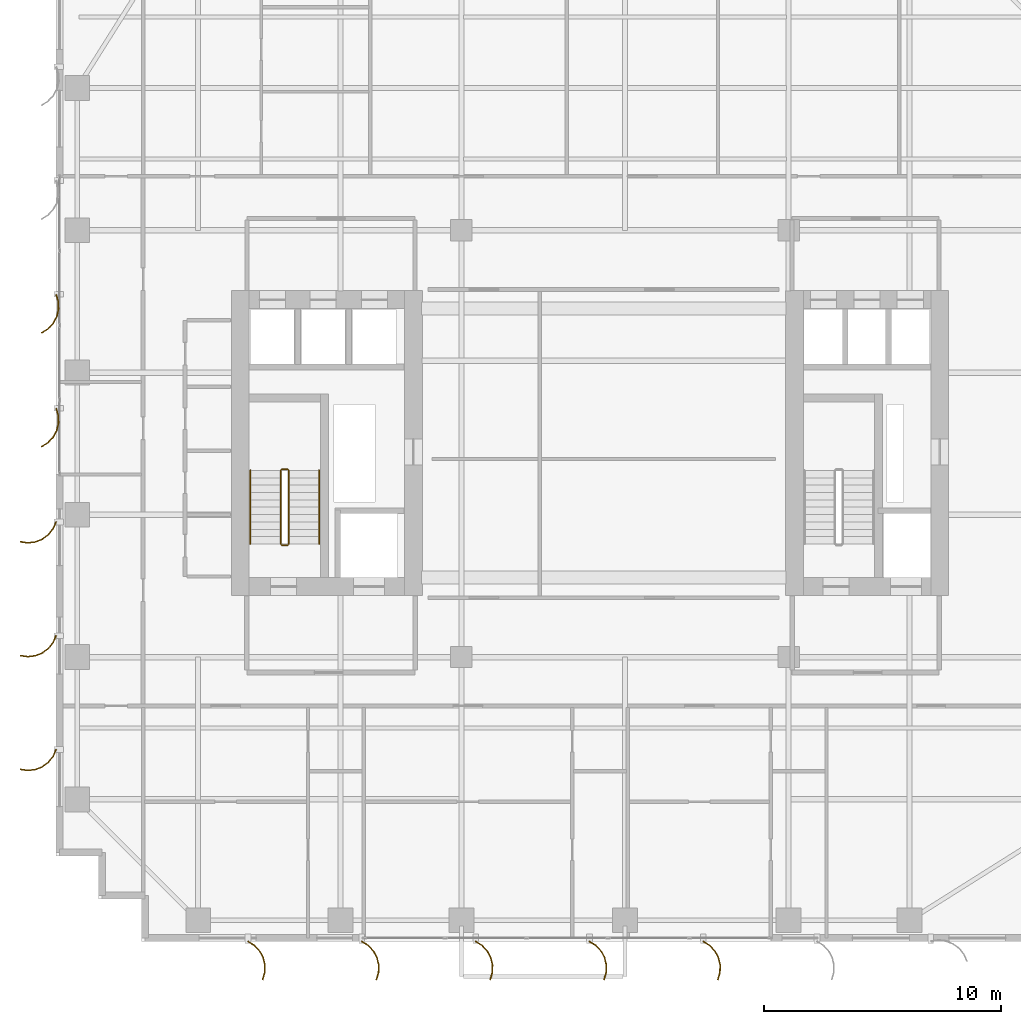
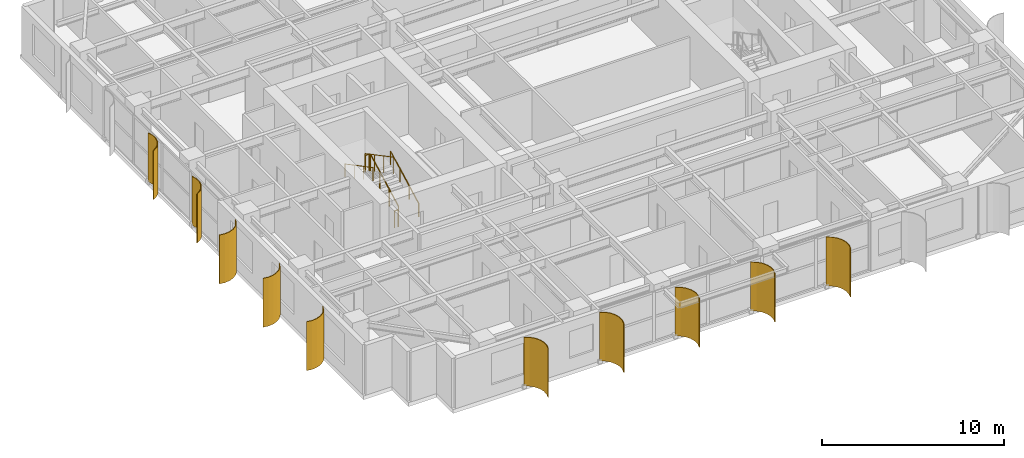
# One storey, part 25 of 27: 10 shading devices, 6 railings.
"""IFC4 building model written with IfcOpenShell, lengths in metres."""

from ifc_helpers import new_model, si_unit, direction, frame, origin, origin_2d, place, context, subcontext, project, spatial, polyline, circle, outline, extrude, source, transform, mapped, material, layer, layer_set, type_object, element, save


model = new_model("IFC4")

# Units and contexts
model_context = context("Model", 3, precision=1e-05, world=origin(), true_north=direction((0.0, 1.0)))
body_context = subcontext(model_context, "Body", "Model", "MODEL_VIEW")
ifc_project = project(units=[si_unit("LENGTHUNIT", "METRE"), si_unit("AREAUNIT", "SQUARE_METRE"), si_unit("VOLUMEUNIT", "CUBIC_METRE"), si_unit("PLANEANGLEUNIT", "RADIAN"), si_unit("MASSUNIT", "GRAM", prefix="KILO")], contexts=[model_context])

# Site, building, storey
site_placement = place(None, origin())
site = spatial("IfcSite", under=ifc_project, at=site_placement, CompositionType="ELEMENT")
building_placement = place(site_placement, origin())
building = spatial("IfcBuilding", under=site, at=building_placement, Name="Khoralis Quay Care Tower", CompositionType="ELEMENT")
storey_placement = place(building_placement, frame((0.0, 0.0, 105.300048828125)))
storey = spatial("IfcBuildingStorey", under=building, at=storey_placement, Name="L27", CompositionType="ELEMENT", Elevation=105.300048828125)

# Railings
ifc_material_1 = material(Name="Brushed stainless steel", Category="steel")
railing_type_1 = type_object("IfcRailingType", Name="RL-GUARD-1150", PredefinedType="GUARDRAIL", material=ifc_material_1)
railing_1_placement = place(storey_placement, frame((9.820068359375, 16.77001953125, 0.16357421875)))
element("IfcRailing", 1, at=railing_1_placement, inside=storey, type_object=railing_type_1, Name="L27 ST-T1 stair guard 1", PredefinedType="GUARDRAIL", context=body_context, shape_type="SweptSolid", body=[
    extrude(circle(Radius=0.02392578125, at=origin_2d()), frame((0.0, 0.0, 1.1259765625), z_axis=(0.0, 0.884348015382, 0.466828220752), x_axis=(-1.0, 0.0, 0.0)), (0.0, 0.0, 1.0), 3.505615234375),
    extrude(circle(Radius=0.02099609375, at=origin_2d()), origin(), (0.0, 0.0, 1.0), 1.101806640625),
    extrude(circle(Radius=0.02099609375, at=origin_2d()), frame((0.0, 1.033447265625, 0.54541015625)), (0.0, 0.0, 1.0), 1.101806640625),
    extrude(circle(Radius=0.02099609375, at=origin_2d()), frame((0.0, 2.066650390625, 1.091064453125)), (0.0, 0.0, 1.0), 1.101806640625),
    extrude(circle(Radius=0.02099609375, at=origin_2d()), frame((0.0, 3.10009765625, 1.636474609375)), (0.0, 0.0, 1.0), 1.101806640625),
])
railing_2_placement = place(storey_placement, frame((9.77001953125, 19.919921875, 1.800048828125)))
element("IfcRailing", 2, at=railing_2_placement, inside=storey, type_object=railing_type_1, Name="L27 ST-T1 stair guard 2", PredefinedType="GUARDRAIL", context=body_context, shape_type="SweptSolid", body=[
    extrude(circle(Radius=0.02392578125, at=origin_2d()), frame((0.0, 0.0, 1.1259765625), z_axis=(-1.0, 0.0, 0.0), x_axis=(0.0, -1.0, 0.0)), (0.0, 0.0, 1.0), 0.239990234375),
    extrude(circle(Radius=0.02099609375, at=origin_2d()), origin(), (0.0, 0.0, 1.0), 1.101806640625),
    extrude(circle(Radius=0.02099609375, at=origin_2d()), frame((-0.239990234375, 0.0, 0.0)), (0.0, 0.0, 1.0), 1.101806640625),
])
railing_3_placement = place(storey_placement, frame((9.47998046875, 19.8701171875, 1.963623046875)))
element("IfcRailing", 3, at=railing_3_placement, inside=storey, type_object=railing_type_1, Name="L27 ST-T1 stair guard 3", PredefinedType="GUARDRAIL", context=body_context, shape_type="SweptSolid", body=[
    extrude(circle(Radius=0.02392578125, at=origin_2d()), frame((0.0, 0.0, 1.1259765625), z_axis=(0.0, -0.884376766648, 0.46677375099), x_axis=(1.0, 0.0, 0.0)), (0.0, 0.0, 1.0), 3.50537109375),
    extrude(circle(Radius=0.02099609375, at=origin_2d()), origin(), (0.0, 0.0, 1.0), 1.101806640625),
    extrude(circle(Radius=0.02099609375, at=origin_2d()), frame((0.0, -1.033447265625, 0.54541015625)), (0.0, 0.0, 1.0), 1.101806640625),
    extrude(circle(Radius=0.02099609375, at=origin_2d()), frame((0.0, -2.066650390625, 1.0908203125)), (0.0, 0.0, 1.0), 1.101806640625),
    extrude(circle(Radius=0.02099609375, at=origin_2d()), frame((0.0, -3.10009765625, 1.63623046875)), (0.0, 0.0, 1.0), 1.101806640625),
])
railing_4_placement = place(storey_placement, frame((9.77001953125, 16.719970703125, 0.0)))
element("IfcRailing", 4, at=railing_4_placement, inside=storey, type_object=railing_type_1, Name="L27 ST-T1 stair guard 4", PredefinedType="GUARDRAIL", context=body_context, shape_type="SweptSolid", body=[
    extrude(circle(Radius=0.02392578125, at=origin_2d()), frame((0.0, 0.0, 1.1259765625), z_axis=(-1.0, 0.0, 0.0), x_axis=(0.0, -1.0, 0.0)), (0.0, 0.0, 1.0), 0.239990234375),
    extrude(circle(Radius=0.02099609375, at=origin_2d()), origin(), (0.0, 0.0, 1.0), 1.101806640625),
    extrude(circle(Radius=0.02099609375, at=origin_2d()), frame((-0.239990234375, 0.0, 0.0)), (0.0, 0.0, 1.0), 1.101806640625),
])
railing_type_2 = type_object("IfcRailingType", Name="RL-HAND-900", PredefinedType="HANDRAIL", material=ifc_material_1)
railing_5_placement = place(storey_placement, frame((11.10009765625, 16.77001953125, 0.16357421875)))
element("IfcRailing", 5, at=railing_5_placement, inside=storey, type_object=railing_type_2, Name="L27 ST-T1 stair handrail 1", PredefinedType="HANDRAIL", context=body_context, shape_type="SweptSolid", body=[
    extrude(circle(Radius=0.02392578125, at=origin_2d()), frame((0.0, 0.0, 0.8759765625), z_axis=(0.0, 0.884348015382, 0.466828220752), x_axis=(-1.0, 0.0, 0.0)), (0.0, 0.0, 1.0), 3.505615234375),
    extrude(circle(Radius=0.02099609375, at=origin_2d()), origin(), (0.0, 0.0, 1.0), 0.851806640625),
    extrude(circle(Radius=0.02099609375, at=origin_2d()), frame((0.0, 1.033447265625, 0.54541015625)), (0.0, 0.0, 1.0), 0.851806640625),
    extrude(circle(Radius=0.02099609375, at=origin_2d()), frame((0.0, 2.066650390625, 1.091064453125)), (0.0, 0.0, 1.0), 0.851806640625),
    extrude(circle(Radius=0.02099609375, at=origin_2d()), frame((0.0, 3.10009765625, 1.636474609375)), (0.0, 0.0, 1.0), 0.851806640625),
])
railing_6_placement = place(storey_placement, frame((8.199951171875, 19.8701171875, 1.963623046875)))
element("IfcRailing", 6, at=railing_6_placement, inside=storey, type_object=railing_type_2, Name="L27 ST-T1 stair handrail 2", PredefinedType="HANDRAIL", context=body_context, shape_type="SweptSolid", body=[
    extrude(circle(Radius=0.02392578125, at=origin_2d()), frame((0.0, 0.0, 0.8759765625), z_axis=(0.0, -0.884376766648, 0.46677375099), x_axis=(1.0, 0.0, 0.0)), (0.0, 0.0, 1.0), 3.50537109375),
    extrude(circle(Radius=0.02099609375, at=origin_2d()), origin(), (0.0, 0.0, 1.0), 0.851806640625),
    extrude(circle(Radius=0.02099609375, at=origin_2d()), frame((0.0, -1.033447265625, 0.54541015625)), (0.0, 0.0, 1.0), 0.851806640625),
    extrude(circle(Radius=0.02099609375, at=origin_2d()), frame((0.0, -2.066650390625, 1.0908203125)), (0.0, 0.0, 1.0), 0.851806640625),
    extrude(circle(Radius=0.02099609375, at=origin_2d()), frame((0.0, -3.10009765625, 1.63623046875)), (0.0, 0.0, 1.0), 0.851806640625),
])

# Shading devices
ifc_material_2 = material(Name="Brushed pale anodised aluminium", Category="aluminium")
ifc_layer = layer(ifc_material_2, 0.044921875)
ifc_layer_set = layer_set([ifc_layer], Name="Brushed pale anodised aluminium")
shading_device_type = type_object("IfcShadingDeviceType", Name="SHD-FIN-1250", PredefinedType="USERDEFINED", material=ifc_layer_set)
shared_shape_1 = source(origin(), body_context, "Body", "SweptSolid", [
    extrude(outline(polyline([(0.0, 0.0), (0.17041015625, 0.2783203125), (0.4072265625, 0.5029296875), (0.694091796875, 0.658447265625), (1.01123046875, 0.734619140625), (1.33740234375, 0.72607421875), (1.650390625, 0.633544921875), (1.632080078125, 0.59228515625), (1.330322265625, 0.681640625), (1.015869140625, 0.68994140625), (0.710205078125, 0.616455078125), (0.43359375, 0.466552734375), (0.20556640625, 0.25), (0.041015625, -0.018310546875), (0.0, 0.0)])), origin(), (0.0, 0.0, 1.0), 3.280029296875),
])
for number, where, z_axis, x_axis, name in (
    (7, (8.10009765625, 0.030029296875, 0.02001953125), (0.0, 0.0, 1.0), (0.0, -1.0, 0.0), "L27 Curved Solar Fin P1E0-01"),
    (8, (12.89990234375, 0.030029296875, 0.02001953125), (0.0, 0.0, 1.0), (0.0, -1.0, 0.0), "L27 Curved Solar Fin P1E0-02"),
    (9, (17.699951171875, 0.030029296875, 0.02001953125), (0.0, 0.0, 1.0), (0.0, -1.0, 0.0), "L27 Curved Solar Fin P1E0-03"),
    (10, (22.5, 0.030029296875, 0.02001953125), (0.0, 0.0, 1.0), (0.0, -1.0, 0.0), "L27 Curved Solar Fin P1E0-04"),
    (11, (27.300048828125, 0.030029296875, 0.02001953125), (0.0, 0.0, 1.0), (0.0, -1.0, 0.0), "L27 Curved Solar Fin P1E0-05"),
):
    element("IfcShadingDevice", number, at=place(storey_placement, frame(where, z_axis=z_axis, x_axis=x_axis)), inside=storey, type_object=shading_device_type, Name=name, ObjectType="FIN", PredefinedType="USERDEFINED", context=body_context, shape_type="MappedRepresentation", body=[
        mapped(shared_shape_1, transform((0.0, 0.0, 0.0), scale=1.0)),
    ])
shared_shape_2 = source(origin(), body_context, "Body", "SweptSolid", [
    extrude(outline(polyline([(0.0, 0.0), (-0.0927734375, 0.31298828125), (-0.101318359375, 0.63916015625), (-0.025146484375, 0.956298828125), (0.130615234375, 1.2431640625), (0.355224609375, 1.479736328125), (0.633544921875, 1.650390625), (0.65185546875, 1.609130859375), (0.383544921875, 1.44482421875), (0.1669921875, 1.216796875), (0.01708984375, 0.940185546875), (-0.056396484375, 0.63427734375), (-0.04833984375, 0.31982421875), (0.041015625, 0.018310546875), (0.0, 0.0)])), origin(), (0.0, 0.0, 1.0), 3.280029296875),
])
for number, where, z_axis, x_axis, name in (
    (12, (0.030029296875, 27.300048828125, 0.02001953125), (0.0, 0.0, 1.0), (-1.0, 0.0, 0.0), "L27 Curved Solar Fin P1E15-03"),
    (13, (0.030029296875, 22.5, 0.02001953125), (0.0, 0.0, 1.0), (-1.0, 0.0, 0.0), "L27 Curved Solar Fin P1E15-04"),
):
    element("IfcShadingDevice", number, at=place(storey_placement, frame(where, z_axis=z_axis, x_axis=x_axis)), inside=storey, type_object=shading_device_type, Name=name, ObjectType="FIN", PredefinedType="USERDEFINED", context=body_context, shape_type="MappedRepresentation", body=[
        mapped(shared_shape_2, transform((0.0, 0.0, 0.0), scale=1.0)),
    ])
shared_shape_3 = source(origin(), body_context, "Body", "SweptSolid", [
    extrude(outline(polyline([(0.0, 0.0), (0.130126953125, 0.29931640625), (0.333251953125, 0.5546875), (0.595458984375, 0.748779296875), (0.899169921875, 0.868408203125), (1.223388671875, 0.9052734375), (1.546142578125, 0.85693359375), (1.53369140625, 0.813720703125), (1.22265625, 0.8603515625), (0.91015625, 0.82470703125), (0.617431640625, 0.70947265625), (0.364501953125, 0.522216796875), (0.168701171875, 0.276123046875), (0.043212890625, -0.012451171875), (0.0, 0.0)])), origin(), (0.0, 0.0, 1.0), 3.280029296875),
])
for number, where, z_axis, x_axis, name in (
    (14, (0.030029296875, 17.699951171875, 0.02001953125), (0.0, 0.0, 1.0), (-1.0, 0.0, 0.0), "L27 Curved Solar Fin P1E15-05"),
    (15, (0.030029296875, 12.89990234375, 0.02001953125), (0.0, 0.0, 1.0), (-1.0, 0.0, 0.0), "L27 Curved Solar Fin P1E15-06"),
    (16, (0.030029296875, 8.10009765625, 0.02001953125), (0.0, 0.0, 1.0), (-1.0, 0.0, 0.0), "L27 Curved Solar Fin P1E15-07"),
):
    element("IfcShadingDevice", number, at=place(storey_placement, frame(where, z_axis=z_axis, x_axis=x_axis)), inside=storey, type_object=shading_device_type, Name=name, ObjectType="FIN", PredefinedType="USERDEFINED", context=body_context, shape_type="MappedRepresentation", body=[
        mapped(shared_shape_3, transform((0.0, 0.0, 0.0), scale=1.0)),
    ])

save(model, "model.ifc")
